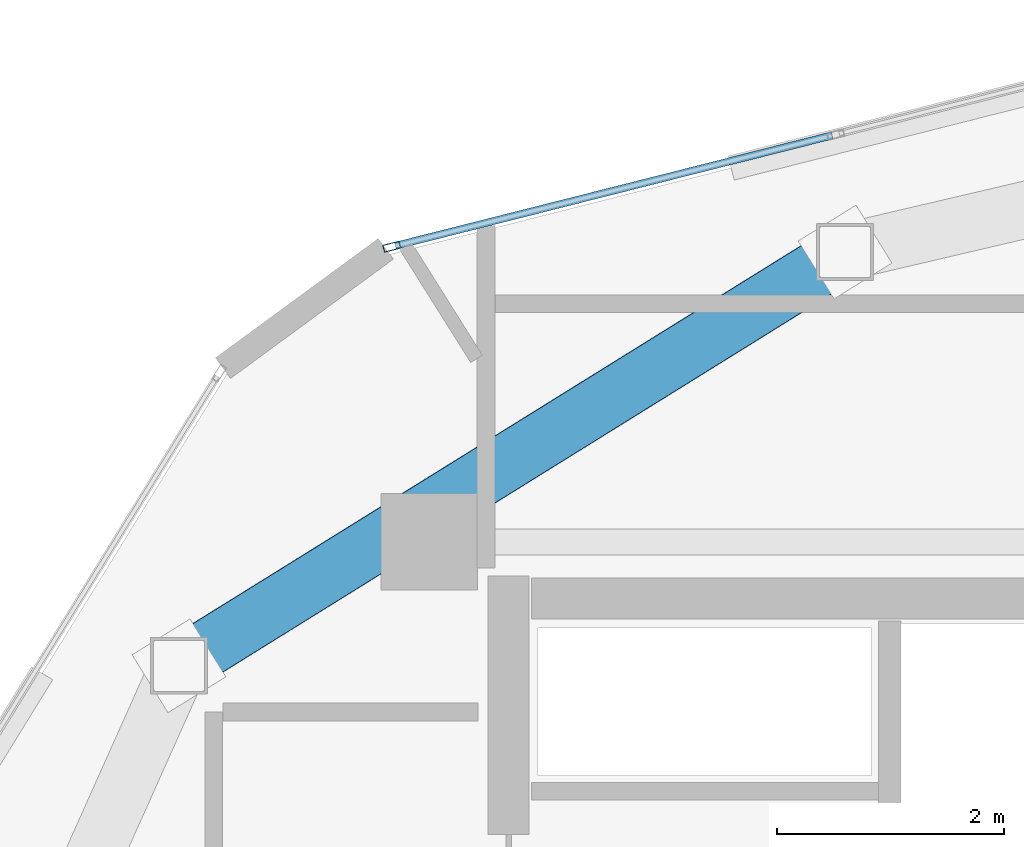
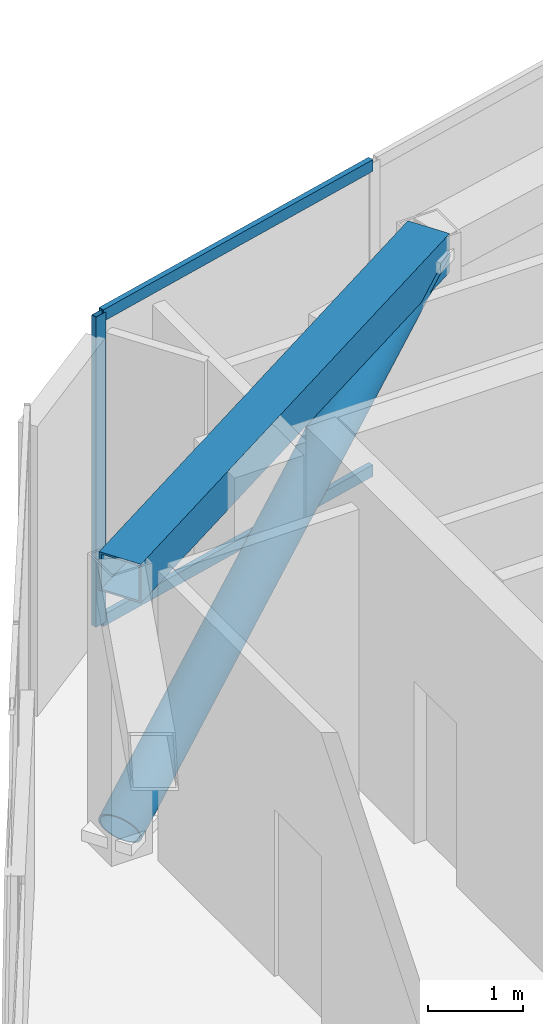
# One storey, part 10 of 21: 4 members, 1 beam, 1 element without a shape of its own.
"""IFC4 building model written with IfcOpenShell, lengths in metres."""

from ifc_helpers import new_model, si_unit, direction, frame, origin, origin_2d, place, context, subcontext, project, spatial, hollow_rectangle, hollow_circle, extrude, source, transform, mapped, material, layer, layer_set, material_profile, profile_set, type_object, type_shapes, element, aggregate, save


model = new_model("IFC4")

# Units and contexts
model_context = context("Model", 3, precision=1e-05, world=origin(), true_north=direction((0.0, 1.0)))
body_context = subcontext(model_context, "Body", "Model", "MODEL_VIEW")
ifc_project = project(units=[si_unit("LENGTHUNIT", "METRE"), si_unit("AREAUNIT", "SQUARE_METRE"), si_unit("VOLUMEUNIT", "CUBIC_METRE"), si_unit("PLANEANGLEUNIT", "RADIAN"), si_unit("MASSUNIT", "GRAM", prefix="KILO")], contexts=[model_context])

# Site, building, storey
site_placement = place(None, origin())
site = spatial("IfcSite", under=ifc_project, at=site_placement, CompositionType="ELEMENT")
building_placement = place(site_placement, origin())
building = spatial("IfcBuilding", under=site, at=building_placement, Name="Talar Marvaseh", CompositionType="ELEMENT")
storey_placement = place(building_placement, frame((0.0, 0.0, 300.0)))
storey = spatial("IfcBuildingStorey", under=building, at=storey_placement, Name="L80", CompositionType="ELEMENT", Elevation=300.0)

# Beam
ifc_material_1 = material(Name="Steel S460", Category="steel")
ifc_material_profile_1 = material_profile(ifc_material_1, hollow_rectangle(XDim=0.5, YDim=0.5, WallThickness=0.02490234375, at=origin_2d()), Name="BOX500x500x25")
ifc_profile_set_1 = profile_set([ifc_material_profile_1], Name="Steel S460")
beam_type = type_object("IfcBeamType", Name="Crown Frame Top Ring Beam BOX500x500x25", PredefinedType="BEAM", material=ifc_profile_set_1)
beam_placement = place(storey_placement, frame((16.493896484375, 35.806884765625, 3.489990234375), z_axis=(0.849439811678, 0.527685518407, 0.0), x_axis=(-0.527685518407, 0.849439811678, 0.0)))
element("IfcBeam", 1, at=beam_placement, inside=storey, type_object=beam_type, Name="L80 Crown Frame Top Ring Beam BOX500x500x25", PredefinedType="BEAM", context=body_context, shape_type="SweptSolid", body=[
    extrude(hollow_rectangle(XDim=0.5, YDim=0.5, WallThickness=0.02490234375, at=origin_2d()), origin(), (0.0, 0.0, 1.0), 6.91162109375),
])

# Member
ifc_material_profile_2 = material_profile(ifc_material_1, hollow_circle(Radius=0.25390625, WallThickness=0.02001953125, at=origin_2d()), Name="CHS508x20")
ifc_profile_set_2 = profile_set([ifc_material_profile_2], Name="Steel S460")
member_type_1 = type_object("IfcMemberType", Name="Crown Frame Diagonal Brace CHS508x20", PredefinedType="BRACE", material=ifc_profile_set_2)
shared_shape_1 = source(origin(), body_context, "Body", "SweptSolid", [
    extrude(hollow_circle(Radius=0.25390625, WallThickness=0.02001953125, at=origin_2d()), origin(), (0.0, 0.0, 1.0), 7.633544921875),
])
type_shapes(member_type_1, [shared_shape_1])
member_1_placement = place(storey_placement, frame((16.493896484375, 35.806884765625, 0.25), z_axis=(0.769127757965, 0.477794393556, 0.424446709745), x_axis=(-0.527685518407, 0.849439811678, 0.0)))
element("IfcMember", 2, at=member_1_placement, inside=storey, type_object=member_type_1, Name="L80 Crown Frame Diagonal Brace 3", PredefinedType="BRACE", context=body_context, shape_type="MappedRepresentation", body=[
    mapped(shared_shape_1, transform((0.0, 0.0, 0.0), x_axis=(1.0, 0.0, 0.0), y_axis=(0.0, 1.0, 0.0), z_axis=(0.0, 0.0, 1.0), scale=1.0)),
])

# Curtain wall, members
ifc_material_2 = material(Name="Architectural Aluminium", Category="aluminium")
ifc_layer = layer(ifc_material_2, 0.2099609375)
ifc_layer_set = layer_set([ifc_layer], Name="Architectural Aluminium")
curtain_wall_type = type_object("IfcCurtainWallType", Name="Crown Plant Acoustic Spandrel Curtain Wall", PredefinedType="NOTDEFINED", material=ifc_layer_set)
curtain_wall_placement = place(storey_placement, origin())
curtain_wall = element("IfcCurtainWall", 3, at=curtain_wall_placement, inside=storey, type_object=curtain_wall_type, Name="L80 Crown Plant Acoustic Spandrel Curtain Wall", PredefinedType="NOTDEFINED")
ifc_material_profile_3 = material_profile(ifc_material_2, hollow_rectangle(XDim=0.06494140625, YDim=0.14990234375, WallThickness=0.00390625, at=origin_2d()), Name="RHS150x65x4")
ifc_profile_set_3 = profile_set([ifc_material_profile_3], Name="Architectural Aluminium")
member_type_2 = type_object("IfcMemberType", Name="Unitised Curtain Wall Slim Transom RHS150x65x4", PredefinedType="USERDEFINED", material=ifc_profile_set_3)
shared_shape_2 = source(origin(), body_context, "Body", "SweptSolid", [
    extrude(hollow_rectangle(XDim=0.06494140625, YDim=0.14990234375, WallThickness=0.00390625, at=origin_2d()), origin(), (0.0, 0.0, 1.0), 3.97119140625),
])
type_shapes(member_type_2, [shared_shape_2])
member_2_placement = place(storey_placement, frame((18.401123046875, 39.509033203125, 0.032470703125), z_axis=(0.969509988378, 0.245051795414, 0.0), x_axis=(-0.245051795414, 0.969509988378, 0.0)))
member_2 = element("IfcMember", 4, at=member_2_placement, type_object=member_type_2, Name="CW-CRN transom 1.1", ObjectType="TRANSOM", PredefinedType="USERDEFINED", context=body_context, shape_type="MappedRepresentation", body=[
    mapped(shared_shape_2, transform((0.0, 0.0, 0.0), x_axis=(1.0, 0.0, 0.0), y_axis=(0.0, 1.0, 0.0), z_axis=(0.0, 0.0, 1.0), scale=1.0)),
])
member_3_placement = place(storey_placement, frame((18.401123046875, 39.509033203125, 3.967529296875), z_axis=(0.969509988378, 0.245051795414, 0.0), x_axis=(-0.245051795414, 0.969509988378, 0.0)))
member_3 = element("IfcMember", 5, at=member_3_placement, type_object=member_type_2, Name="CW-CRN transom 1.2", ObjectType="TRANSOM", PredefinedType="USERDEFINED", context=body_context, shape_type="MappedRepresentation", body=[
    mapped(shared_shape_2, transform((0.0, 0.0, 0.0), x_axis=(1.0, 0.0, 0.0), y_axis=(0.0, 1.0, 0.0), z_axis=(0.0, 0.0, 1.0), scale=1.0)),
])
ifc_material_profile_4 = material_profile(ifc_material_2, hollow_rectangle(XDim=0.06494140625, YDim=0.14990234375, WallThickness=0.00390625, at=origin_2d()), Name="RHS150x65x4")
ifc_profile_set_4 = profile_set([ifc_material_profile_4], Name="Architectural Aluminium")
member_type_3 = type_object("IfcMemberType", Name="Unitised Curtain Wall Slim Mullion RHS150x65x4", PredefinedType="MULLION", material=ifc_profile_set_4)
shared_shape_3 = source(origin(), body_context, "Body", "SweptSolid", [
    extrude(hollow_rectangle(XDim=0.06494140625, YDim=0.14990234375, WallThickness=0.00390625, at=origin_2d()), origin(), (0.0, 0.0, 1.0), 4.0),
])
type_shapes(member_type_3, [shared_shape_3])
member_4_placement = place(storey_placement, frame((18.36962890625, 39.501220703125, 0.0), z_axis=(0.0, 0.0, 1.0), x_axis=(-0.245002284933, 0.969522501223, 0.0)))
member_4 = element("IfcMember", 6, at=member_4_placement, type_object=member_type_3, Name="CW-CRN mullion 1", PredefinedType="MULLION", context=body_context, shape_type="MappedRepresentation", body=[
    mapped(shared_shape_3, transform((0.0, 0.0, 0.0), x_axis=(1.0, 0.0, 0.0), y_axis=(0.0, 1.0, 0.0), z_axis=(0.0, 0.0, 1.0), scale=1.0)),
])
aggregate(curtain_wall, [member_4, member_2, member_3])

save(model, "model.ifc")
